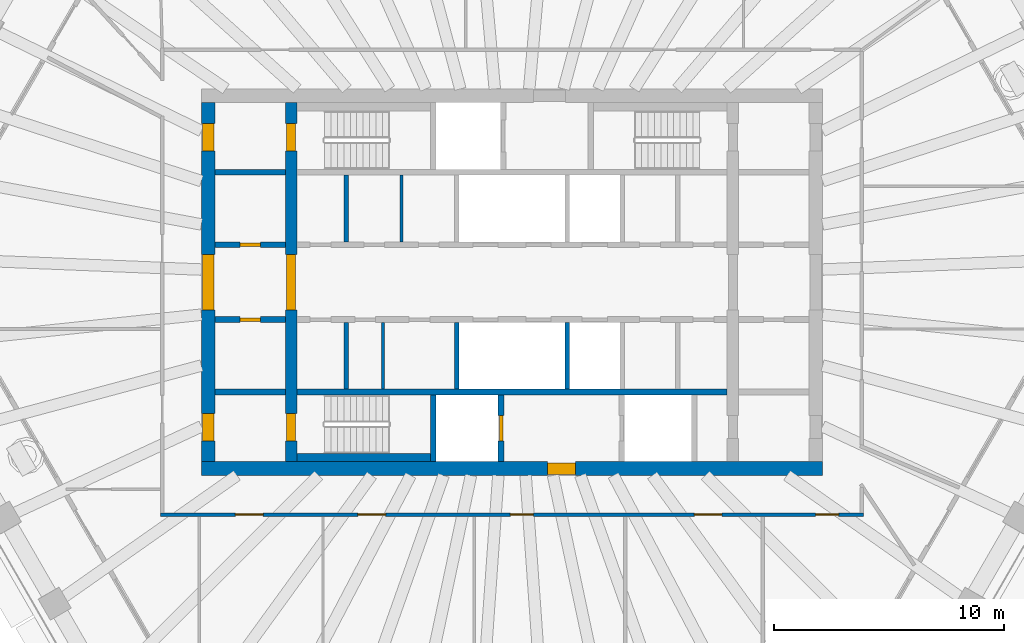
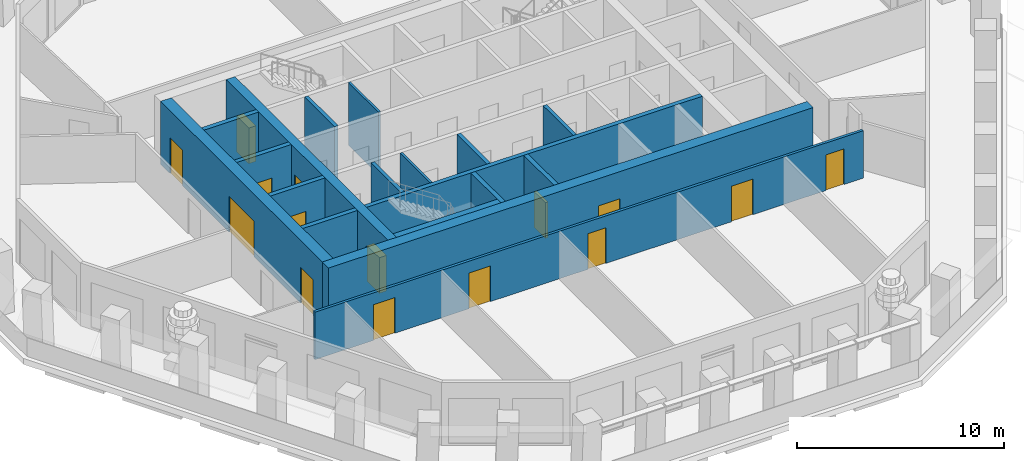
# One storey, part 4 of 12: 18 walls, 15 doors, 15 openings.
"""IFC4 building model written with IfcOpenShell, lengths in metres."""

from ifc_helpers import new_model, si_unit, direction, frame, frame_2d, origin, place, context, subcontext, project, spatial, rectangle, extrude, material, layer, layer_set, type_object, element, fill, save


model = new_model("IFC4")

# Units and contexts
model_context = context("Model", 3, precision=1e-05, world=origin(), true_north=direction((0.0, 1.0)))
body_context = subcontext(model_context, "Body", "Model", "MODEL_VIEW")
ifc_project = project(units=[si_unit("LENGTHUNIT", "METRE"), si_unit("AREAUNIT", "SQUARE_METRE"), si_unit("VOLUMEUNIT", "CUBIC_METRE"), si_unit("PLANEANGLEUNIT", "RADIAN"), si_unit("MASSUNIT", "GRAM", prefix="KILO")], contexts=[model_context])

# Site, building, storey
site_placement = place(None, origin())
site = spatial("IfcSite", under=ifc_project, at=site_placement, CompositionType="ELEMENT")
building_placement = place(site_placement, origin())
building = spatial("IfcBuilding", under=site, at=building_placement, Name="Frailejon Research Tower", CompositionType="ELEMENT")
storey_placement = place(building_placement, frame((0.0, 0.0, 245.39990234375)))
storey = spatial("IfcBuildingStorey", under=building, at=storey_placement, Name="L53", CompositionType="ELEMENT", Elevation=245.39990234375)

# Walls
ifc_material_1 = material(Name="Plasterboard on steel studs", Category="steel")
ifc_layer_1 = layer(ifc_material_1, 0.125)
ifc_layer_set_1 = layer_set([ifc_layer_1], Name="Core partition 125")
wall_type_1 = type_object("IfcWallType", Name="Core partition 125", PredefinedType="PARTITIONING", material=ifc_layer_set_1)
for number, where, z_axis, x_axis, name in (
    (1, (-4.800048828125, 1.75, 0.0), (0.0, 0.0, 1.0), (0.0, 1.0, 0.0), "Core partition"),
    (2, (-5.60009765625, -4.64990234375, 0.0), (0.0, 0.0, 1.0), (0.0, 1.0, 0.0), "Core partition"),
):
    element("IfcWall", number, at=place(storey_placement, frame(where, z_axis=z_axis, x_axis=x_axis)), inside=storey, type_object=wall_type_1, Name=name, PredefinedType="PARTITIONING", context=body_context, shape_type="SweptSolid", body=[
        extrude(rectangle(XDim=2.89990234375, YDim=0.125, at=frame_2d((1.449951171875, 0.0))), origin(), (0.0, 0.0, 1.0), 3.7001953125),
    ])

# Wall, openings, doors
ifc_material_2 = material(Name="Concrete C60/75", Category="concrete")
ifc_layer_2 = layer(ifc_material_2, 0.5)
ifc_layer_set_2 = layer_set([ifc_layer_2], Name="Core shear wall 500 C60/75")
wall_type_2 = type_object("IfcWallType", Name="Core shear wall 500 C60/75", PredefinedType="SHEAR", material=ifc_layer_set_2)
wall_1_placement = place(storey_placement, frame((-9.60009765625, -7.800048828125, 0.0), z_axis=(0.0, 0.0, 1.0), x_axis=(0.0, 1.0, 0.0)))
wall_1 = element("IfcWall", 3, at=wall_1_placement, inside=storey, type_object=wall_type_2, Name="Core shear wall", PredefinedType="SHEAR", context=body_context, shape_type="SweptSolid", body=[
    extrude(rectangle(XDim=15.60009765625, YDim=0.5, at=frame_2d((7.800048828125, 0.0))), origin(), (0.0, 0.0, 1.0), 3.7001953125),
])
opening_1_placement = place(wall_1_placement, frame((6.60009765625, 0.0, 0.0)))
opening_1 = element("IfcOpeningElement", 4, at=opening_1_placement, cuts=wall_1, Name="Opening D2", PredefinedType="OPENING", context=body_context, shape_type="SweptSolid", body=[
    extrude(rectangle(XDim=2.39990234375, YDim=2.10009765625, at=frame_2d((1.199951171875, 1.050048828125))), frame((0.0, 0.260009765625, 0.0), z_axis=(0.0, -1.0, 0.0), x_axis=(1.0, 0.0, 0.0)), (0.0, 0.0, 1.0), 0.52001953125),
])
opening_2_placement = place(wall_1_placement, frame((13.5, 0.0, 0.0)))
opening_2 = element("IfcOpeningElement", 5, at=opening_2_placement, cuts=wall_1, Name="Opening D1", PredefinedType="OPENING", context=body_context, shape_type="SweptSolid", body=[
    extrude(rectangle(XDim=1.199951171875, YDim=2.10009765625, at=frame_2d((0.60009765625, 1.050048828125))), frame((0.0, 0.260009765625, 0.0), z_axis=(0.0, -1.0, 0.0), x_axis=(1.0, 0.0, 0.0)), (0.0, 0.0, 1.0), 0.52001953125),
])
opening_3_placement = place(wall_1_placement, frame((0.89990234375, 0.0, 0.0)))
opening_3 = element("IfcOpeningElement", 6, at=opening_3_placement, cuts=wall_1, Name="Opening D1", PredefinedType="OPENING", context=body_context, shape_type="SweptSolid", body=[
    extrude(rectangle(XDim=1.199951171875, YDim=2.10009765625, at=frame_2d((0.60009765625, 1.050048828125))), frame((0.0, 0.260009765625, 0.0), z_axis=(0.0, -1.0, 0.0), x_axis=(1.0, 0.0, 0.0)), (0.0, 0.0, 1.0), 0.52001953125),
])
ifc_material_3 = material(Name="Steel", Category="steel")
door_type_1 = type_object("IfcDoorType", Name="Lobby double door", OperationType="DOUBLE_DOOR_SINGLE_SWING", PredefinedType="DOOR", material=ifc_material_3)
door_1_placement = place(opening_1_placement, origin())
door_1 = element("IfcDoor", 7, at=door_1_placement, inside=storey, type_object=door_type_1, Name="Lobby door", OperationType="DOUBLE_DOOR_SINGLE_SWING", OverallHeight=2.10009765625, OverallWidth=2.39990234375, PredefinedType="DOOR", context=body_context, shape_type="SweptSolid", body=[
    extrude(rectangle(XDim=2.39990234375, YDim=2.10009765625, at=frame_2d((1.199951171875, 1.050048828125))), frame((0.0, 0.199951171875, 0.0), z_axis=(0.0, -1.0, 0.0), x_axis=(1.0, 0.0, 0.0)), (0.0, 0.0, 1.0), 0.39990234375),
])
fill(opening_1, door_1)
ifc_material_4 = material(Name="Steel", Category="steel")
door_type_2 = type_object("IfcDoorType", Name="Stair door", OperationType="SINGLE_SWING_LEFT", PredefinedType="DOOR", material=ifc_material_4)
door_2_placement = place(opening_2_placement, origin())
door_2 = element("IfcDoor", 8, at=door_2_placement, inside=storey, type_object=door_type_2, Name="Stair door ST1", OperationType="SINGLE_SWING_RIGHT", OverallHeight=2.10009765625, OverallWidth=1.199951171875, PredefinedType="DOOR", context=body_context, shape_type="SweptSolid", body=[
    extrude(rectangle(XDim=1.199951171875, YDim=2.10009765625, at=frame_2d((0.60009765625, 1.050048828125))), frame((0.0, 0.199951171875, 0.0), z_axis=(0.0, -1.0, 0.0), x_axis=(1.0, 0.0, 0.0)), (0.0, 0.0, 1.0), 0.39990234375),
])
fill(opening_2, door_2)
door_3_placement = place(opening_3_placement, origin())
door_3 = element("IfcDoor", 9, at=door_3_placement, inside=storey, type_object=door_type_2, Name="Stair door ST2", OperationType="SINGLE_SWING_RIGHT", OverallHeight=2.10009765625, OverallWidth=1.199951171875, PredefinedType="DOOR", context=body_context, shape_type="SweptSolid", body=[
    extrude(rectangle(XDim=1.199951171875, YDim=2.10009765625, at=frame_2d((0.60009765625, 1.050048828125))), frame((0.0, 0.199951171875, 0.0), z_axis=(0.0, -1.0, 0.0), x_axis=(1.0, 0.0, 0.0)), (0.0, 0.0, 1.0), 0.39990234375),
])
fill(opening_3, door_3)

# Wall, opening, door
ifc_material_5 = material(Name="Concrete C60/75", Category="concrete")
ifc_layer_3 = layer(ifc_material_5, 0.60009765625)
ifc_layer_set_3 = layer_set([ifc_layer_3], Name="Core shear wall 600 C60/75")
wall_type_3 = type_object("IfcWallType", Name="Core shear wall 600 C60/75", PredefinedType="SHEAR", material=ifc_layer_set_3)
wall_2_placement = place(storey_placement, frame((-13.5, -8.10009765625, 0.0), z_axis=(0.0, 0.0, 1.0), x_axis=(1.0, 0.0, 0.0)))
wall_2 = element("IfcWall", 10, at=wall_2_placement, inside=storey, type_object=wall_type_3, Name="Core shear wall", PredefinedType="SHEAR", context=body_context, shape_type="SweptSolid", body=[
    extrude(rectangle(XDim=27.0, YDim=0.60009765625, at=frame_2d((13.5, 0.0))), origin(), (0.0, 0.0, 1.0), 3.7001953125),
])
opening_4_placement = place(wall_2_placement, frame((15.050048828125, 0.0, 0.0)))
opening_4 = element("IfcOpeningElement", 11, at=opening_4_placement, cuts=wall_2, Name="Opening D3", PredefinedType="OPENING", context=body_context, shape_type="SweptSolid", body=[
    extrude(rectangle(XDim=1.199951171875, YDim=2.10009765625, at=frame_2d((0.60009765625, 1.050048828125))), frame((0.0, 0.31005859375, 0.0), z_axis=(0.0, -1.0, 0.0), x_axis=(1.0, 0.0, 0.0)), (0.0, 0.0, 1.0), 0.6201171875),
])
ifc_material_6 = material(Name="Steel", Category="steel")
door_type_3 = type_object("IfcDoorType", Name="Firefighting lobby door", OperationType="SINGLE_SWING_LEFT", PredefinedType="DOOR", material=ifc_material_6)
door_4_placement = place(opening_4_placement, origin())
door_4 = element("IfcDoor", 12, at=door_4_placement, inside=storey, type_object=door_type_3, Name="Firefighting lobby door", OperationType="SINGLE_SWING_RIGHT", OverallHeight=2.10009765625, OverallWidth=1.199951171875, PredefinedType="DOOR", context=body_context, shape_type="SweptSolid", body=[
    extrude(rectangle(XDim=1.199951171875, YDim=2.10009765625, at=frame_2d((0.60009765625, 1.050048828125))), frame((0.0, 0.25, 0.0), z_axis=(0.0, -1.0, 0.0), x_axis=(1.0, 0.0, 0.0)), (0.0, 0.0, 1.0), 0.5),
])
fill(opening_4, door_4)

# Wall, openings, doors
wall_3_placement = place(storey_placement, frame((-13.199951171875, -7.800048828125, 0.0), z_axis=(0.0, 0.0, 1.0), x_axis=(0.0, 1.0, 0.0)))
wall_3 = element("IfcWall", 13, at=wall_3_placement, inside=storey, type_object=wall_type_3, Name="Core shear wall", PredefinedType="SHEAR", context=body_context, shape_type="SweptSolid", body=[
    extrude(rectangle(XDim=15.60009765625, YDim=0.60009765625, at=frame_2d((7.800048828125, 0.0))), origin(), (0.0, 0.0, 1.0), 3.7001953125),
])
opening_5_placement = place(wall_3_placement, frame((6.60009765625, 0.0, 0.0)))
opening_5 = element("IfcOpeningElement", 14, at=opening_5_placement, cuts=wall_3, Name="Opening D2", PredefinedType="OPENING", context=body_context, shape_type="SweptSolid", body=[
    extrude(rectangle(XDim=2.39990234375, YDim=2.10009765625, at=frame_2d((1.199951171875, 1.050048828125))), frame((0.0, 0.31005859375, 0.0), z_axis=(0.0, -1.0, 0.0), x_axis=(1.0, 0.0, 0.0)), (0.0, 0.0, 1.0), 0.6201171875),
])
opening_6_placement = place(wall_3_placement, frame((13.5, 0.0, 0.0)))
opening_6 = element("IfcOpeningElement", 15, at=opening_6_placement, cuts=wall_3, Name="Opening D7", PredefinedType="OPENING", context=body_context, shape_type="SweptSolid", body=[
    extrude(rectangle(XDim=1.199951171875, YDim=2.10009765625, at=frame_2d((0.60009765625, 1.050048828125))), frame((0.0, 0.31005859375, 0.0), z_axis=(0.0, -1.0, 0.0), x_axis=(1.0, 0.0, 0.0)), (0.0, 0.0, 1.0), 0.6201171875),
])
opening_7_placement = place(wall_3_placement, frame((0.89990234375, 0.0, 0.0)))
opening_7 = element("IfcOpeningElement", 16, at=opening_7_placement, cuts=wall_3, Name="Opening D7", PredefinedType="OPENING", context=body_context, shape_type="SweptSolid", body=[
    extrude(rectangle(XDim=1.199951171875, YDim=2.10009765625, at=frame_2d((0.60009765625, 1.050048828125))), frame((0.0, 0.31005859375, 0.0), z_axis=(0.0, -1.0, 0.0), x_axis=(1.0, 0.0, 0.0)), (0.0, 0.0, 1.0), 0.6201171875),
])
door_5_placement = place(opening_5_placement, origin())
door_5 = element("IfcDoor", 17, at=door_5_placement, inside=storey, type_object=door_type_1, Name="Lobby door", OperationType="DOUBLE_DOOR_SINGLE_SWING", OverallHeight=2.10009765625, OverallWidth=2.39990234375, PredefinedType="DOOR", context=body_context, shape_type="SweptSolid", body=[
    extrude(rectangle(XDim=2.39990234375, YDim=2.10009765625, at=frame_2d((1.199951171875, 1.050048828125))), frame((0.0, 0.25, 0.0), z_axis=(0.0, -1.0, 0.0), x_axis=(1.0, 0.0, 0.0)), (0.0, 0.0, 1.0), 0.5),
])
fill(opening_5, door_5)
ifc_material_7 = material(Name="Steel", Category="steel")
door_type_4 = type_object("IfcDoorType", Name="Stair exit door", OperationType="SINGLE_SWING_LEFT", PredefinedType="DOOR", material=ifc_material_7)
door_6_placement = place(opening_6_placement, origin())
door_6 = element("IfcDoor", 18, at=door_6_placement, inside=storey, type_object=door_type_4, Name="Stair exit door ST1", OperationType="SINGLE_SWING_LEFT", OverallHeight=2.10009765625, OverallWidth=1.199951171875, PredefinedType="DOOR", context=body_context, shape_type="SweptSolid", body=[
    extrude(rectangle(XDim=1.199951171875, YDim=2.10009765625, at=frame_2d((0.60009765625, 1.050048828125))), frame((0.0, 0.25, 0.0), z_axis=(0.0, -1.0, 0.0), x_axis=(1.0, 0.0, 0.0)), (0.0, 0.0, 1.0), 0.5),
])
fill(opening_6, door_6)
door_7_placement = place(opening_7_placement, origin())
door_7 = element("IfcDoor", 19, at=door_7_placement, inside=storey, type_object=door_type_4, Name="Stair exit door ST2", OperationType="SINGLE_SWING_LEFT", OverallHeight=2.10009765625, OverallWidth=1.199951171875, PredefinedType="DOOR", context=body_context, shape_type="SweptSolid", body=[
    extrude(rectangle(XDim=1.199951171875, YDim=2.10009765625, at=frame_2d((0.60009765625, 1.050048828125))), frame((0.0, 0.25, 0.0), z_axis=(0.0, -1.0, 0.0), x_axis=(1.0, 0.0, 0.0)), (0.0, 0.0, 1.0), 0.5),
])
fill(opening_7, door_7)

ifc_material_8 = material(Name="Gypsum board and masonry partition", Category="masonry")
ifc_layer_4 = layer(ifc_material_8, 0.14990234375)
ifc_layer_set_4 = layer_set([ifc_layer_4], Name="Corridor wall EI 60, gypsum on steel studs 150")
wall_type_4 = type_object("IfcWallType", Name="Corridor wall EI 60, gypsum on steel studs 150", PredefinedType="PARTITIONING", material=ifc_layer_set_4)
wall_4_placement = place(storey_placement, frame((-15.27490234375, -10.10009765625, 0.0), z_axis=(0.0, 0.0, 1.0), x_axis=(1.0, 0.0, 0.0)))
wall_4 = element("IfcWall", 20, at=wall_4_placement, inside=storey, type_object=wall_type_4, Name="T:IW:L53:008", PredefinedType="PARTITIONING", context=body_context, shape_type="SweptSolid", body=[
    extrude(rectangle(XDim=30.5498046875, YDim=0.14990234375, at=frame_2d((15.27490234375, 0.0))), origin(), (0.0, 0.0, 1.0), 2.800048828125),
])
opening_8_placement = place(wall_4_placement, frame((3.25341796875, 0.0, 0.0)))
opening_8 = element("IfcOpeningElement", 21, at=opening_8_placement, cuts=wall_4, Name="Opening D2045", PredefinedType="OPENING", context=body_context, shape_type="SweptSolid", body=[
    extrude(rectangle(XDim=1.199951171875, YDim=2.10009765625, at=frame_2d((0.60009765625, 1.050048828125))), frame((0.0, 0.0849609375, 0.0), z_axis=(0.0, -1.0, 0.0), x_axis=(1.0, 0.0, 0.0)), (0.0, 0.0, 1.0), 0.169921875),
])
opening_9_placement = place(wall_4_placement, frame((8.579833984375, 0.0, 0.0)))
opening_9 = element("IfcOpeningElement", 22, at=opening_9_placement, cuts=wall_4, Name="Opening D2046", PredefinedType="OPENING", context=body_context, shape_type="SweptSolid", body=[
    extrude(rectangle(XDim=1.199951171875, YDim=2.10009765625, at=frame_2d((0.60009765625, 1.050048828125))), frame((0.0, 0.0849609375, 0.0), z_axis=(0.0, -1.0, 0.0), x_axis=(1.0, 0.0, 0.0)), (0.0, 0.0, 1.0), 0.169921875),
])
opening_10_placement = place(wall_4_placement, frame((15.199951171875, 0.0, 0.0)))
opening_10 = element("IfcOpeningElement", 23, at=opening_10_placement, cuts=wall_4, Name="Opening D2047", PredefinedType="OPENING", context=body_context, shape_type="SweptSolid", body=[
    extrude(rectangle(XDim=1.0, YDim=2.10009765625, at=frame_2d((0.5, 1.050048828125))), frame((0.0, 0.0849609375, 0.0), z_axis=(0.0, -1.0, 0.0), x_axis=(1.0, 0.0, 0.0)), (0.0, 0.0, 1.0), 0.169921875),
])
opening_11_placement = place(wall_4_placement, frame((23.199951171875, 0.0, 0.0)))
opening_11 = element("IfcOpeningElement", 24, at=opening_11_placement, cuts=wall_4, Name="Opening D2048", PredefinedType="OPENING", context=body_context, shape_type="SweptSolid", body=[
    extrude(rectangle(XDim=1.199951171875, YDim=2.10009765625, at=frame_2d((0.60009765625, 1.050048828125))), frame((0.0, 0.0849609375, 0.0), z_axis=(0.0, -1.0, 0.0), x_axis=(1.0, 0.0, 0.0)), (0.0, 0.0, 1.0), 0.169921875),
])
opening_12_placement = place(wall_4_placement, frame((28.47509765625, 0.0, 0.0)))
opening_12 = element("IfcOpeningElement", 25, at=opening_12_placement, cuts=wall_4, Name="Opening D2049", PredefinedType="OPENING", context=body_context, shape_type="SweptSolid", body=[
    extrude(rectangle(XDim=1.0, YDim=2.10009765625, at=frame_2d((0.5, 1.050048828125))), frame((0.0, 0.0849609375, 0.0), z_axis=(0.0, -1.0, 0.0), x_axis=(1.0, 0.0, 0.0)), (0.0, 0.0, 1.0), 0.169921875),
])
ifc_material_9 = material(Name="Timber door leaf", Category="wood")
door_type_5 = type_object("IfcDoorType", Name="Door laboratory, timber, vision panel 1200", OperationType="NOTDEFINED", PredefinedType="DOOR", material=ifc_material_9)
door_8_placement = place(opening_11_placement, origin())
door_8 = element("IfcDoor", 26, at=door_8_placement, inside=storey, type_object=door_type_5, Name="D2048", OperationType="DOUBLE_DOOR_SINGLE_SWING", OverallHeight=2.10009765625, OverallWidth=1.199951171875, PredefinedType="DOOR", context=body_context, shape_type="SweptSolid", body=[
    extrude(rectangle(XDim=1.199951171875, YDim=2.10009765625, at=frame_2d((0.60009765625, 1.050048828125))), frame((0.0, 0.02490234375, 0.0), z_axis=(0.0, -1.0, 0.0), x_axis=(1.0, 0.0, 0.0)), (0.0, 0.0, 1.0), 0.050048828125),
])
fill(opening_11, door_8)
ifc_material_10 = material(Name="Timber door leaf", Category="wood")
door_type_6 = type_object("IfcDoorType", Name="Door single leaf, timber, steel frame 1000", OperationType="NOTDEFINED", PredefinedType="DOOR", material=ifc_material_10)
door_9_placement = place(opening_10_placement, origin())
door_9 = element("IfcDoor", 27, at=door_9_placement, inside=storey, type_object=door_type_6, Name="D2047", OperationType="SINGLE_SWING_RIGHT", OverallHeight=2.10009765625, OverallWidth=1.0, PredefinedType="DOOR", context=body_context, shape_type="SweptSolid", body=[
    extrude(rectangle(XDim=1.0, YDim=2.10009765625, at=frame_2d((0.5, 1.050048828125))), frame((0.0, 0.02490234375, 0.0), z_axis=(0.0, -1.0, 0.0), x_axis=(1.0, 0.0, 0.0)), (0.0, 0.0, 1.0), 0.050048828125),
])
fill(opening_10, door_9)
door_10_placement = place(opening_12_placement, origin())
door_10 = element("IfcDoor", 28, at=door_10_placement, inside=storey, type_object=door_type_6, Name="D2049", OperationType="SINGLE_SWING_LEFT", OverallHeight=2.10009765625, OverallWidth=1.0, PredefinedType="DOOR", context=body_context, shape_type="SweptSolid", body=[
    extrude(rectangle(XDim=1.0, YDim=2.10009765625, at=frame_2d((0.5, 1.050048828125))), frame((0.0, 0.02490234375, 0.0), z_axis=(0.0, -1.0, 0.0), x_axis=(1.0, 0.0, 0.0)), (0.0, 0.0, 1.0), 0.050048828125),
])
fill(opening_12, door_10)
ifc_material_11 = material(Name="Timber door leaf", Category="wood")
door_type_7 = type_object("IfcDoorType", Name="Door single leaf, timber, steel frame 1200", OperationType="NOTDEFINED", PredefinedType="DOOR", material=ifc_material_11)
door_11_placement = place(opening_8_placement, origin())
door_11 = element("IfcDoor", 29, at=door_11_placement, inside=storey, type_object=door_type_7, Name="D2045", OperationType="DOUBLE_DOOR_SINGLE_SWING", OverallHeight=2.10009765625, OverallWidth=1.199951171875, PredefinedType="DOOR", context=body_context, shape_type="SweptSolid", body=[
    extrude(rectangle(XDim=1.199951171875, YDim=2.10009765625, at=frame_2d((0.60009765625, 1.050048828125))), frame((0.0, 0.02490234375, 0.0), z_axis=(0.0, -1.0, 0.0), x_axis=(1.0, 0.0, 0.0)), (0.0, 0.0, 1.0), 0.050048828125),
])
fill(opening_8, door_11)
door_12_placement = place(opening_9_placement, origin())
door_12 = element("IfcDoor", 30, at=door_12_placement, inside=storey, type_object=door_type_7, Name="D2046", OperationType="DOUBLE_DOOR_SINGLE_SWING", OverallHeight=2.10009765625, OverallWidth=1.199951171875, PredefinedType="DOOR", context=body_context, shape_type="SweptSolid", body=[
    extrude(rectangle(XDim=1.199951171875, YDim=2.10009765625, at=frame_2d((0.60009765625, 1.050048828125))), frame((0.0, 0.02490234375, 0.0), z_axis=(0.0, -1.0, 0.0), x_axis=(1.0, 0.0, 0.0)), (0.0, 0.0, 1.0), 0.050048828125),
])
fill(opening_9, door_12)

# Walls
ifc_material_12 = material(Name="Concrete C60/75", Category="concrete")
ifc_layer_5 = layer(ifc_material_12, 0.199951171875)
ifc_layer_set_5 = layer_set([ifc_layer_5], Name="Shaft wall 200 C60/75")
wall_type_5 = type_object("IfcWallType", Name="Shaft wall 200 C60/75", PredefinedType="SOLIDWALL", material=ifc_layer_set_5)
for number, where, z_axis, x_axis, name in (
    (31, (-7.199951171875, 1.75, 0.0), (0.0, 0.0, 1.0), (0.0, 1.0, 0.0), "Shaft wall"),
    (32, (-7.199951171875, -4.64990234375, 0.0), (0.0, 0.0, 1.0), (0.0, 1.0, 0.0), "Shaft wall"),
    (33, (-2.39990234375, -4.64990234375, 0.0), (0.0, 0.0, 1.0), (0.0, 1.0, 0.0), "Shaft wall"),
    (34, (2.39990234375, -4.64990234375, 0.0), (0.0, 0.0, 1.0), (0.0, 1.0, 0.0), "Shaft wall"),
):
    element("IfcWall", number, at=place(storey_placement, frame(where, z_axis=z_axis, x_axis=x_axis)), inside=storey, type_object=wall_type_5, Name=name, PredefinedType="SOLIDWALL", context=body_context, shape_type="SweptSolid", body=[
        extrude(rectangle(XDim=2.89990234375, YDim=0.199951171875, at=frame_2d((1.449951171875, 0.0))), origin(), (0.0, 0.0, 1.0), 3.7001953125),
    ])

# Wall, opening, door
ifc_material_13 = material(Name="Concrete C60/75", Category="concrete")
ifc_layer_6 = layer(ifc_material_13, 0.25)
ifc_layer_set_6 = layer_set([ifc_layer_6], Name="Shaft wall 250 C60/75")
wall_type_6 = type_object("IfcWallType", Name="Shaft wall 250 C60/75", PredefinedType="SOLIDWALL", material=ifc_layer_set_6)
wall_5_placement = place(storey_placement, frame((-12.89990234375, 1.625, 0.0), z_axis=(0.0, 0.0, 1.0), x_axis=(1.0, 0.0, 0.0)))
wall_5 = element("IfcWall", 35, at=wall_5_placement, inside=storey, type_object=wall_type_6, Name="Shaft wall", PredefinedType="SOLIDWALL", context=body_context, shape_type="SweptSolid", body=[
    extrude(rectangle(XDim=3.0498046875, YDim=0.25, at=frame_2d((1.52490234375, 0.0))), origin(), (0.0, 0.0, 1.0), 3.7001953125),
])
opening_13_placement = place(wall_5_placement, frame((1.074951171875, 0.0, 0.0)))
opening_13 = element("IfcOpeningElement", 36, at=opening_13_placement, cuts=wall_5, Name="Opening D8", PredefinedType="OPENING", context=body_context, shape_type="SweptSolid", body=[
    extrude(rectangle(XDim=0.89990234375, YDim=2.10009765625, at=frame_2d((0.449951171875, 1.050048828125))), frame((0.0, 0.135009765625, 0.0), z_axis=(0.0, -1.0, 0.0), x_axis=(1.0, 0.0, 0.0)), (0.0, 0.0, 1.0), 0.27001953125),
])
ifc_material_14 = material(Name="Steel", Category="steel")
door_type_8 = type_object("IfcDoorType", Name="Core room door", OperationType="SINGLE_SWING_LEFT", PredefinedType="DOOR", material=ifc_material_14)
door_13_placement = place(opening_13_placement, origin())
door_13 = element("IfcDoor", 37, at=door_13_placement, inside=storey, type_object=door_type_8, Name="Room door", OperationType="SINGLE_SWING_RIGHT", OverallHeight=2.10009765625, OverallWidth=0.89990234375, PredefinedType="DOOR", context=body_context, shape_type="SweptSolid", body=[
    extrude(rectangle(XDim=0.89990234375, YDim=2.10009765625, at=frame_2d((0.449951171875, 1.050048828125))), frame((0.0, 0.074951171875, 0.0), z_axis=(0.0, -1.0, 0.0), x_axis=(1.0, 0.0, 0.0)), (0.0, 0.0, 1.0), 0.14990234375),
])
fill(opening_13, door_13)

# Wall
wall_6_placement = place(storey_placement, frame((-12.89990234375, 4.77490234375, 0.0), z_axis=(0.0, 0.0, 1.0), x_axis=(1.0, 0.0, 0.0)))
element("IfcWall", 38, at=wall_6_placement, inside=storey, type_object=wall_type_6, Name="Shaft wall", PredefinedType="SOLIDWALL", context=body_context, shape_type="SweptSolid", body=[
    extrude(rectangle(XDim=3.0498046875, YDim=0.25, at=frame_2d((1.52490234375, 0.0))), origin(), (0.0, 0.0, 1.0), 3.7001953125),
])

# Wall, opening, door
wall_7_placement = place(storey_placement, frame((-12.89990234375, -1.625, 0.0), z_axis=(0.0, 0.0, 1.0), x_axis=(1.0, 0.0, 0.0)))
wall_7 = element("IfcWall", 39, at=wall_7_placement, inside=storey, type_object=wall_type_6, Name="Shaft wall", PredefinedType="SOLIDWALL", context=body_context, shape_type="SweptSolid", body=[
    extrude(rectangle(XDim=3.0498046875, YDim=0.25, at=frame_2d((1.52490234375, 0.0))), origin(), (0.0, 0.0, 1.0), 3.7001953125),
])
opening_14_placement = place(wall_7_placement, frame((1.074951171875, 0.0, 0.0)))
opening_14 = element("IfcOpeningElement", 40, at=opening_14_placement, cuts=wall_7, Name="Opening D8", PredefinedType="OPENING", context=body_context, shape_type="SweptSolid", body=[
    extrude(rectangle(XDim=0.89990234375, YDim=2.10009765625, at=frame_2d((0.449951171875, 1.050048828125))), frame((0.0, 0.135009765625, 0.0), z_axis=(0.0, -1.0, 0.0), x_axis=(1.0, 0.0, 0.0)), (0.0, 0.0, 1.0), 0.27001953125),
])
door_14_placement = place(opening_14_placement, origin())
door_14 = element("IfcDoor", 41, at=door_14_placement, inside=storey, type_object=door_type_8, Name="Room door", OperationType="SINGLE_SWING_LEFT", OverallHeight=2.10009765625, OverallWidth=0.89990234375, PredefinedType="DOOR", context=body_context, shape_type="SweptSolid", body=[
    extrude(rectangle(XDim=0.89990234375, YDim=2.10009765625, at=frame_2d((0.449951171875, 1.050048828125))), frame((0.0, 0.074951171875, 0.0), z_axis=(0.0, -1.0, 0.0), x_axis=(1.0, 0.0, 0.0)), (0.0, 0.0, 1.0), 0.14990234375),
])
fill(opening_14, door_14)

# Walls
wall_8_placement = place(storey_placement, frame((-12.89990234375, -4.77490234375, 0.0), z_axis=(0.0, 0.0, 1.0), x_axis=(1.0, 0.0, 0.0)))
element("IfcWall", 42, at=wall_8_placement, inside=storey, type_object=wall_type_6, Name="Shaft wall", PredefinedType="SOLIDWALL", context=body_context, shape_type="SweptSolid", body=[
    extrude(rectangle(XDim=3.0498046875, YDim=0.25, at=frame_2d((1.52490234375, 0.0))), origin(), (0.0, 0.0, 1.0), 3.7001953125),
])
wall_9_placement = place(storey_placement, frame((-9.35009765625, -4.77490234375, 0.0), z_axis=(0.0, 0.0, 1.0), x_axis=(1.0, 0.0, 0.0)))
element("IfcWall", 43, at=wall_9_placement, inside=storey, type_object=wall_type_6, Name="Shaft wall", PredefinedType="SOLIDWALL", context=body_context, shape_type="SweptSolid", body=[
    extrude(rectangle(XDim=18.7001953125, YDim=0.25, at=frame_2d((9.35009765625, 0.0))), origin(), (0.0, 0.0, 1.0), 3.7001953125),
])
wall_10_placement = place(storey_placement, frame((-3.425048828125, -7.800048828125, 0.0), z_axis=(0.0, 0.0, 1.0), x_axis=(0.0, 1.0, 0.0)))
element("IfcWall", 44, at=wall_10_placement, inside=storey, type_object=wall_type_6, Name="Shaft wall", PredefinedType="SOLIDWALL", context=body_context, shape_type="SweptSolid", body=[
    extrude(rectangle(XDim=2.900146484375, YDim=0.25, at=frame_2d((1.4501953125, 0.0))), origin(), (0.0, 0.0, 1.0), 3.7001953125),
])

# Wall, opening, door
wall_11_placement = place(storey_placement, frame((-0.47509765625, -7.800048828125, 0.0), z_axis=(0.0, 0.0, 1.0), x_axis=(0.0, 1.0, 0.0)))
wall_11 = element("IfcWall", 45, at=wall_11_placement, inside=storey, type_object=wall_type_6, Name="Shaft wall", PredefinedType="SOLIDWALL", context=body_context, shape_type="SweptSolid", body=[
    extrude(rectangle(XDim=2.900146484375, YDim=0.25, at=frame_2d((1.4501953125, 0.0))), origin(), (0.0, 0.0, 1.0), 3.7001953125),
])
opening_15_placement = place(wall_11_placement, frame((0.89990234375, 0.0, 0.0)))
opening_15 = element("IfcOpeningElement", 46, at=opening_15_placement, cuts=wall_11, Name="Opening LD", PredefinedType="OPENING", context=body_context, shape_type="SweptSolid", body=[
    extrude(rectangle(XDim=1.10009765625, YDim=2.10009765625, at=frame_2d((0.550048828125, 1.050048828125))), frame((0.0, 0.135009765625, 0.0), z_axis=(0.0, -1.0, 0.0), x_axis=(1.0, 0.0, 0.0)), (0.0, 0.0, 1.0), 0.27001953125),
])
ifc_material_15 = material(Name="Steel", Category="steel")
door_type_9 = type_object("IfcDoorType", Name="Lift landing door", OperationType="DOUBLE_DOOR_SLIDING", PredefinedType="DOOR", material=ifc_material_15)
door_15_placement = place(opening_15_placement, origin())
door_15 = element("IfcDoor", 47, at=door_15_placement, inside=storey, type_object=door_type_9, Name="Lift landing door", OperationType="DOUBLE_DOOR_SLIDING", OverallHeight=2.10009765625, OverallWidth=1.10009765625, PredefinedType="DOOR", context=body_context, shape_type="SweptSolid", body=[
    extrude(rectangle(XDim=1.10009765625, YDim=2.10009765625, at=frame_2d((0.550048828125, 1.050048828125))), frame((0.0, 0.074951171875, 0.0), z_axis=(0.0, -1.0, 0.0), x_axis=(1.0, 0.0, 0.0)), (0.0, 0.0, 1.0), 0.14990234375),
])
fill(opening_15, door_15)

# Wall
ifc_material_16 = material(Name="Concrete C60/75", Category="concrete")
ifc_layer_7 = layer(ifc_material_16, 0.35009765625)
ifc_layer_set_7 = layer_set([ifc_layer_7], Name="Shaft wall 350 C60/75")
wall_type_7 = type_object("IfcWallType", Name="Shaft wall 350 C60/75", PredefinedType="SOLIDWALL", material=ifc_layer_set_7)
wall_12_placement = place(storey_placement, frame((-9.35009765625, -7.625, 0.0), z_axis=(0.0, 0.0, 1.0), x_axis=(1.0, 0.0, 0.0)))
element("IfcWall", 48, at=wall_12_placement, inside=storey, type_object=wall_type_7, Name="Shaft wall", PredefinedType="SOLIDWALL", context=body_context, shape_type="SweptSolid", body=[
    extrude(rectangle(XDim=5.800048828125, YDim=0.35009765625, at=frame_2d((2.89990234375, 0.0))), origin(), (0.0, 0.0, 1.0), 3.7001953125),
])

save(model, "model.ifc")
